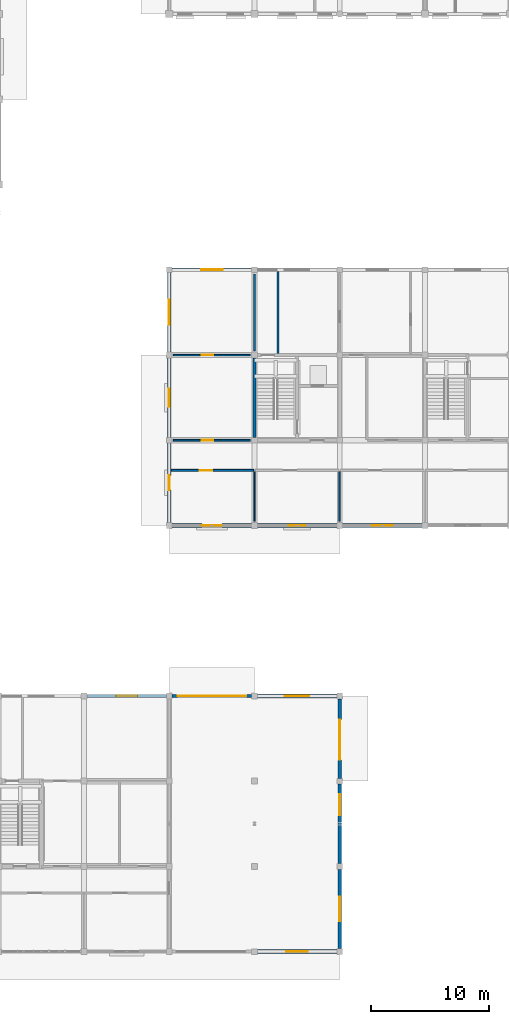
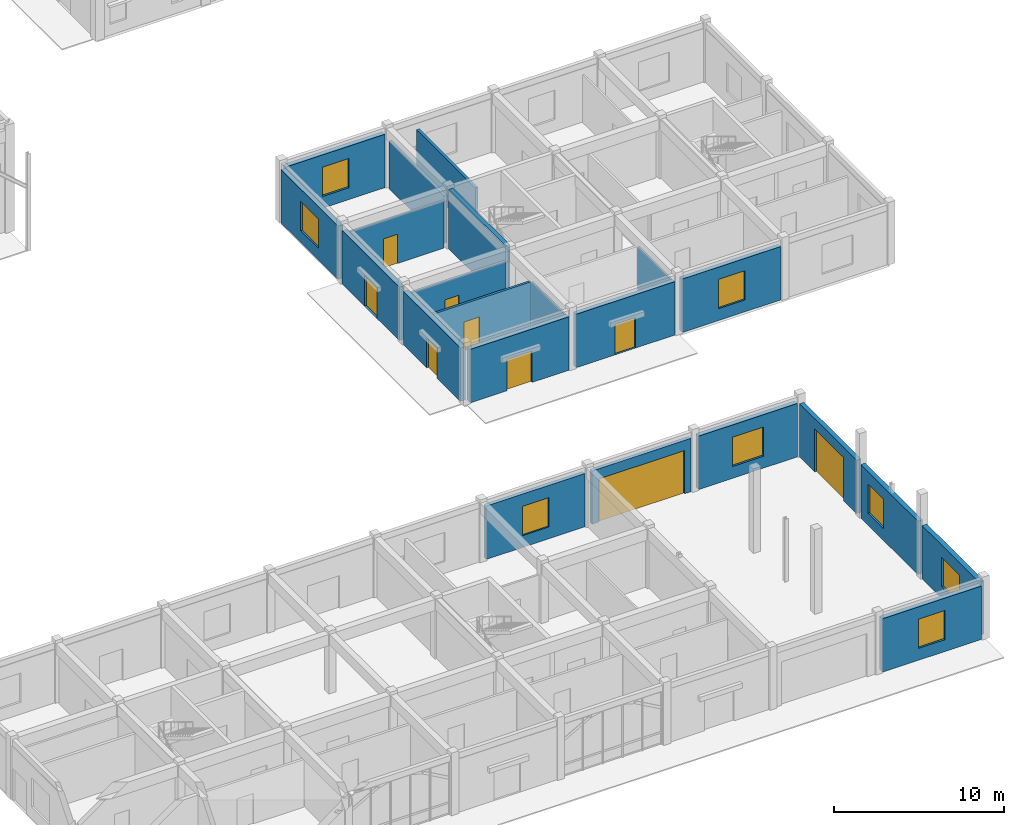
# One storey, part 102 of 138: 22 walls, 9 doors, 8 windows, 17 openings.
"""IFC4 building model written with IfcOpenShell, lengths in metres."""

from ifc_helpers import new_model, si_unit, direction, frame, frame_2d, origin, place, context, subcontext, project, spatial, rectangle, extrude, material, layer, layer_set, type_object, element, fill, save


model = new_model("IFC4")

# Units and contexts
model_context = context("Model", 3, precision=1e-05, world=origin(), true_north=direction((0.0, 1.0)))
body_context = subcontext(model_context, "Body", "Model", "MODEL_VIEW")
ifc_project = project(units=[si_unit("LENGTHUNIT", "METRE"), si_unit("AREAUNIT", "SQUARE_METRE"), si_unit("VOLUMEUNIT", "CUBIC_METRE"), si_unit("PLANEANGLEUNIT", "RADIAN"), si_unit("MASSUNIT", "GRAM", prefix="KILO"), si_unit("THERMODYNAMICTEMPERATUREUNIT", "KELVIN"), si_unit("POWERUNIT", "WATT")], contexts=[model_context])

# Site, building, storey
site_placement = place(None, origin())
site = spatial("IfcSite", under=ifc_project, at=site_placement, CompositionType="ELEMENT")
building_placement = place(site_placement, origin())
building = spatial("IfcBuilding", under=site, at=building_placement, Name="Tavuni Mirador Residences", CompositionType="ELEMENT")
storey_placement = place(building_placement, origin())
storey = spatial("IfcBuildingStorey", under=building, at=storey_placement, Name="L00", CompositionType="ELEMENT", Elevation=0.0)

# Wall
ifc_material_1 = material(Name="Precast concrete C40/50", Category="concrete")
ifc_layer_1 = layer(ifc_material_1, 0.280029296875, Name="Precast concrete C40/50", Category="concrete")
ifc_layer_set_1 = layer_set([ifc_layer_1], Name="Precast concrete C40/50")
wall_type_1 = type_object("IfcWallType", Name="WT-COR280", PredefinedType="SHEAR", material=ifc_layer_set_1)
wall_1_placement = place(storey_placement, frame((97.199951171875, 50.64990234375, 0.0), z_axis=(0.0, 0.0, 1.0), x_axis=(0.0, 1.0, 0.0)))
element("IfcWall", 1, at=wall_1_placement, inside=storey, type_object=wall_type_1, Name="CWALL-CN1-L00-W", PredefinedType="SHEAR", context=body_context, shape_type="SweptSolid", body=[
    extrude(rectangle(XDim=6.7001953125, YDim=0.280029296875, at=frame_2d((3.35009765625, 0.0))), origin(), (0.0, 0.0, 1.0), 4.260009765625),
])

# Wall, opening, door
ifc_layer_2 = layer(ifc_material_1, 0.1650390625, Name="Precast concrete C40/50", Category="concrete")
ifc_layer_set_2 = layer_set([ifc_layer_2], Name="Precast concrete C40/50")
wall_type_2 = type_object("IfcWallType", Name="WT-CORR165", PredefinedType="PARTITIONING", material=ifc_layer_set_2)
wall_2_placement = place(storey_placement, frame((90.175048828125, 47.85009765625, 0.0), z_axis=(0.0, 0.0, 1.0), x_axis=(1.0, 0.0, 0.0)))
wall_2 = element("IfcWall", 2, at=wall_2_placement, inside=storey, type_object=wall_type_2, Name="PW-NURS-L00-CS1", PredefinedType="PARTITIONING", context=body_context, shape_type="SweptSolid", body=[
    extrude(rectangle(XDim=6.945068359375, YDim=0.1650390625, at=frame_2d((3.47265625, 0.0))), origin(), (0.0, 0.0, 1.0), 3.409912109375),
])
opening_1_placement = place(wall_2_placement, frame((2.39990234375, 0.0, 0.0)))
opening_1 = element("IfcOpeningElement", 3, at=opening_1_placement, cuts=wall_2, Name="Opening D-15", PredefinedType="OPENING", context=body_context, shape_type="SweptSolid", body=[
    extrude(rectangle(XDim=1.0400390625, YDim=2.1201171875, at=frame_2d((0.52001953125, 1.06005859375))), frame((0.0, 0.092529296875, 0.0), z_axis=(0.0, -1.0, 0.0), x_axis=(1.0, 0.0, 0.0)), (0.0, 0.0, 1.0), 0.18505859375),
])
ifc_material_2 = material(Name="Solid core iroko timber", Category="wood")
door_type_1 = type_object("IfcDoorType", Name="DT-NUR1040", OperationType="NOTDEFINED", PredefinedType="DOOR", material=ifc_material_2)
door_1_placement = place(opening_1_placement, origin())
door_1 = element("IfcDoor", 4, at=door_1_placement, inside=storey, type_object=door_type_1, Name="DR-4792", OperationType="SINGLE_SWING_LEFT", OverallHeight=2.1201171875, OverallWidth=1.0400390625, PredefinedType="DOOR", context=body_context, shape_type="SweptSolid", body=[
    extrude(rectangle(XDim=1.0400390625, YDim=2.1201171875, at=frame_2d((0.52001953125, 1.06005859375))), frame((0.0, 0.02490234375, 0.0), z_axis=(0.0, -1.0, 0.0), x_axis=(1.0, 0.0, 0.0)), (0.0, 0.0, 1.0), 0.050048828125),
])
fill(opening_1, door_1)

wall_3_placement = place(storey_placement, frame((90.35009765625, 50.39990234375, 0.0), z_axis=(0.0, 0.0, 1.0), x_axis=(1.0, 0.0, 0.0)))
wall_3 = element("IfcWall", 5, at=wall_3_placement, inside=storey, type_object=wall_type_2, Name="PW-NURS-L00-CN1", PredefinedType="PARTITIONING", context=body_context, shape_type="SweptSolid", body=[
    extrude(rectangle(XDim=6.5, YDim=0.1650390625, at=frame_2d((3.25, 0.0))), origin(), (0.0, 0.0, 1.0), 3.409912109375),
])
opening_2_placement = place(wall_3_placement, frame((2.39990234375, 0.0, 0.0)))
opening_2 = element("IfcOpeningElement", 6, at=opening_2_placement, cuts=wall_3, Name="Opening D-16", PredefinedType="OPENING", context=body_context, shape_type="SweptSolid", body=[
    extrude(rectangle(XDim=0.9599609375, YDim=2.10009765625, at=frame_2d((0.47998046875, 1.050048828125))), frame((0.0, 0.092529296875, 0.0), z_axis=(0.0, -1.0, 0.0), x_axis=(1.0, 0.0, 0.0)), (0.0, 0.0, 1.0), 0.18505859375),
])
door_type_2 = type_object("IfcDoorType", Name="DT-NUR960", OperationType="NOTDEFINED", PredefinedType="DOOR", material=ifc_material_2)
door_2_placement = place(opening_2_placement, origin())
door_2 = element("IfcDoor", 7, at=door_2_placement, inside=storey, type_object=door_type_2, Name="DR-4796", OperationType="SINGLE_SWING_LEFT", OverallHeight=2.10009765625, OverallWidth=0.9599609375, PredefinedType="DOOR", context=body_context, shape_type="SweptSolid", body=[
    extrude(rectangle(XDim=0.9599609375, YDim=2.10009765625, at=frame_2d((0.47998046875, 1.050048828125))), frame((0.0, 0.02490234375, 0.0), z_axis=(0.0, -1.0, 0.0), x_axis=(1.0, 0.0, 0.0)), (0.0, 0.0, 1.0), 0.050048828125),
])
fill(opening_2, door_2)

# Walls
ifc_layer_3 = layer(ifc_material_1, 0.18505859375, Name="Precast concrete C40/50", Category="concrete")
ifc_layer_set_3 = layer_set([ifc_layer_3], Name="Precast concrete C40/50")
wall_type_3 = type_object("IfcWallType", Name="WT-CORR185", PredefinedType="PARTITIONING", material=ifc_layer_set_3)
wall_4_placement = place(storey_placement, frame((97.199951171875, 57.949951171875, 0.0), z_axis=(0.0, 0.0, 1.0), x_axis=(0.0, 1.0, 0.0)))
element("IfcWall", 8, at=wall_4_placement, inside=storey, type_object=wall_type_3, Name="PW-NURS-L00-NV1", PredefinedType="PARTITIONING", context=body_context, shape_type="SweptSolid", body=[
    extrude(rectangle(XDim=6.5, YDim=0.18505859375, at=frame_2d((3.25, 0.0))), origin(), (0.0, 0.0, 1.0), 3.409912109375),
])
wall_5_placement = place(storey_placement, frame((99.18994140625, 57.739990234375, 0.0), z_axis=(0.0, 0.0, 1.0), x_axis=(0.0, 1.0, 0.0)))
element("IfcWall", 9, at=wall_5_placement, inside=storey, type_object=wall_type_3, Name="XPW-ST11-E", PredefinedType="PARTITIONING", context=body_context, shape_type="SweptSolid", body=[
    extrude(rectangle(XDim=6.89990234375, YDim=0.18505859375, at=frame_2d((3.449951171875, 0.0))), origin(), (0.0, 0.0, 1.0), 3.409912109375),
])

# Wall, opening, door
ifc_layer_4 = layer(ifc_material_1, 0.330078125, Name="Precast concrete C40/50", Category="concrete")
ifc_layer_set_4 = layer_set([ifc_layer_4], Name="Precast concrete C40/50")
wall_type_4 = type_object("IfcWallType", Name="WT-EXT-COR330", PredefinedType="SOLIDWALL", material=ifc_layer_set_4)
wall_6_placement = place(storey_placement, frame((90.25, 43.199951171875, 0.0), z_axis=(0.0, 0.0, 1.0), x_axis=(1.0, 0.0, 0.0)))
wall_6 = element("IfcWall", 10, at=wall_6_placement, inside=storey, type_object=wall_type_4, Name="EW-PAV-NURS-L00-S00", PredefinedType="SOLIDWALL", context=body_context, shape_type="SweptSolid", body=[
    extrude(rectangle(XDim=6.7099609375, YDim=0.330078125, at=frame_2d((3.35498046875, 0.0))), origin(), (0.0, 0.0, 1.0), 3.830078125),
])
opening_3_placement = place(wall_6_placement, frame((2.5048828125, 0.0, 0.0)))
opening_3 = element("IfcOpeningElement", 11, at=opening_3_placement, cuts=wall_6, Name="Opening EN-02", PredefinedType="OPENING", context=body_context, shape_type="SweptSolid", body=[
    extrude(rectangle(XDim=1.699951171875, YDim=2.25, at=frame_2d((0.85009765625, 1.125))), frame((0.0, 0.175048828125, 0.0), z_axis=(0.0, -1.0, 0.0), x_axis=(1.0, 0.0, 0.0)), (0.0, 0.0, 1.0), 0.35009765625),
])
ifc_material_3 = material(Name="Anodised aluminium", Category="aluminium")
door_type_3 = type_object("IfcDoorType", Name="DT-ENT1700", OperationType="DOUBLE_DOOR_SINGLE_SWING", PredefinedType="DOOR", material=ifc_material_3)
door_3_placement = place(opening_3_placement, frame((1.699951171875, 0.0, 0.0), z_axis=(0.0, 0.0, 1.0), x_axis=(-1.0, 0.0, 0.0)))
door_3 = element("IfcDoor", 12, at=door_3_placement, inside=storey, type_object=door_type_3, Name="Final exit door EX-025", OperationType="DOUBLE_DOOR_SINGLE_SWING", OverallHeight=2.25, OverallWidth=1.699951171875, PredefinedType="DOOR", context=body_context, shape_type="SweptSolid", body=[
    extrude(rectangle(XDim=1.699951171875, YDim=2.25, at=frame_2d((0.85009765625, 1.125))), frame((0.0, 0.02490234375, 0.0), z_axis=(0.0, -1.0, 0.0), x_axis=(1.0, 0.0, 0.0)), (0.0, 0.0, 1.0), 0.050048828125),
])
fill(opening_3, door_3)

# Wall, opening, window
wall_7_placement = place(storey_placement, frame((96.9599609375, 64.800048828125, 0.0), z_axis=(0.0, 0.0, 1.0), x_axis=(-1.0, 0.0, 0.0)))
wall_7 = element("IfcWall", 13, at=wall_7_placement, inside=storey, type_object=wall_type_4, Name="EW-PAV-NURS-L00-N00", PredefinedType="SOLIDWALL", context=body_context, shape_type="SweptSolid", body=[
    extrude(rectangle(XDim=6.7099609375, YDim=0.330078125, at=frame_2d((3.35498046875, 0.0))), origin(), (0.0, 0.0, 1.0), 3.830078125),
])
opening_4_placement = place(wall_7_placement, frame((2.455078125, 0.0, 0.85009765625)))
opening_4 = element("IfcOpeningElement", 14, at=opening_4_placement, cuts=wall_7, Name="Opening WN-31", PredefinedType="OPENING", context=body_context, shape_type="SweptSolid", body=[
    extrude(rectangle(XDim=1.800048828125, YDim=2.10009765625, at=frame_2d((0.89990234375, 1.050048828125))), frame((0.0, 0.175048828125, 0.0), z_axis=(0.0, -1.0, 0.0), x_axis=(1.0, 0.0, 0.0)), (0.0, 0.0, 1.0), 0.35009765625),
])
ifc_material_4 = material(Name="Laminated solar-control glass", Category="glass")
window_type_1 = type_object("IfcWindowType", Name="WNT-31", PartitioningType="SINGLE_PANEL", PredefinedType="WINDOW", material=ifc_material_4)
window_1_placement = place(opening_4_placement, origin())
window_1 = element("IfcWindow", 15, at=window_1_placement, inside=storey, type_object=window_type_1, Name="WIN-1848", OverallHeight=2.10009765625, OverallWidth=1.800048828125, PartitioningType="SINGLE_PANEL", PredefinedType="WINDOW", context=body_context, shape_type="SweptSolid", body=[
    extrude(rectangle(XDim=1.800048828125, YDim=2.10009765625, at=frame_2d((0.89990234375, 1.050048828125))), frame((0.0, 0.030029296875, 0.0), z_axis=(0.0, -1.0, 0.0), x_axis=(1.0, 0.0, 0.0)), (0.0, 0.0, 1.0), 0.06005859375),
])
fill(opening_4, window_1)

# Wall, opening, door
wall_8_placement = place(storey_placement, frame((90.0, 50.159912109375, 0.0), z_axis=(0.0, 0.0, 1.0), x_axis=(0.0, -1.0, 0.0)))
wall_8 = element("IfcWall", 16, at=wall_8_placement, inside=storey, type_object=wall_type_4, Name="EW-PAV-NURS-L00-W00", PredefinedType="SOLIDWALL", context=body_context, shape_type="SweptSolid", body=[
    extrude(rectangle(XDim=6.7099609375, YDim=0.330078125, at=frame_2d((3.35498046875, 0.0))), origin(), (0.0, 0.0, 1.0), 3.830078125),
])
opening_5_placement = place(wall_8_placement, frame((2.72998046875, 0.0, 0.0)))
opening_5 = element("IfcOpeningElement", 17, at=opening_5_placement, cuts=wall_8, Name="Opening ND-01", PredefinedType="OPENING", context=body_context, shape_type="SweptSolid", body=[
    extrude(rectangle(XDim=1.25, YDim=2.14990234375, at=frame_2d((0.625, 1.074951171875))), frame((0.0, 0.175048828125, 0.0), z_axis=(0.0, -1.0, 0.0), x_axis=(1.0, 0.0, 0.0)), (0.0, 0.0, 1.0), 0.35009765625),
])
door_type_4 = type_object("IfcDoorType", Name="DT-NUR1250", OperationType="NOTDEFINED", PredefinedType="DOOR", material=ifc_material_2)
door_4_placement = place(opening_5_placement, frame((1.25, 0.0, 0.0), z_axis=(0.0, 0.0, 1.0), x_axis=(-1.0, 0.0, 0.0)))
door_4 = element("IfcDoor", 18, at=door_4_placement, inside=storey, type_object=door_type_4, Name="Final exit door EX-028", OperationType="SINGLE_SWING_LEFT", OverallHeight=2.14990234375, OverallWidth=1.25, PredefinedType="DOOR", context=body_context, shape_type="SweptSolid", body=[
    extrude(rectangle(XDim=1.25, YDim=2.14990234375, at=frame_2d((0.625, 1.074951171875))), frame((0.0, 0.02490234375, 0.0), z_axis=(0.0, -1.0, 0.0), x_axis=(1.0, 0.0, 0.0)), (0.0, 0.0, 1.0), 0.050048828125),
])
fill(opening_5, door_4)

# Wall, opening, window
wall_9_placement = place(storey_placement, frame((97.43994140625, 7.199951171875, 0.0), z_axis=(0.0, 0.0, 1.0), x_axis=(1.0, 0.0, 0.0)))
wall_9 = element("IfcWall", 19, at=wall_9_placement, inside=storey, type_object=wall_type_4, Name="EW-PAV-SHOP-L00-S07", PredefinedType="SOLIDWALL", context=body_context, shape_type="SweptSolid", body=[
    extrude(rectangle(XDim=6.7099609375, YDim=0.330078125, at=frame_2d((3.35498046875, 0.0))), origin(), (0.0, 0.0, 1.0), 3.830078125),
])
opening_6_placement = place(wall_9_placement, frame((2.455078125, 0.0, 0.85009765625)))
opening_6 = element("IfcOpeningElement", 20, at=opening_6_placement, cuts=wall_9, Name="Opening WN-31", PredefinedType="OPENING", context=body_context, shape_type="SweptSolid", body=[
    extrude(rectangle(XDim=1.800048828125, YDim=2.10009765625, at=frame_2d((0.89990234375, 1.050048828125))), frame((0.0, 0.175048828125, 0.0), z_axis=(0.0, -1.0, 0.0), x_axis=(1.0, 0.0, 0.0)), (0.0, 0.0, 1.0), 0.35009765625),
])
window_2_placement = place(opening_6_placement, origin())
window_2 = element("IfcWindow", 21, at=window_2_placement, inside=storey, type_object=window_type_1, Name="WIN-1878", OverallHeight=2.10009765625, OverallWidth=1.800048828125, PartitioningType="SINGLE_PANEL", PredefinedType="WINDOW", context=body_context, shape_type="SweptSolid", body=[
    extrude(rectangle(XDim=1.800048828125, YDim=2.10009765625, at=frame_2d((0.89990234375, 1.050048828125))), frame((0.0, 0.030029296875, 0.0), z_axis=(0.0, -1.0, 0.0), x_axis=(1.0, 0.0, 0.0)), (0.0, 0.0, 1.0), 0.06005859375),
])
fill(opening_6, window_2)

wall_10_placement = place(storey_placement, frame((104.39990234375, 7.449951171875, 0.0), z_axis=(0.0, 0.0, 1.0), x_axis=(0.0, 1.0, 0.0)))
wall_10 = element("IfcWall", 22, at=wall_10_placement, inside=storey, type_object=wall_type_4, Name="EW-PAV-SHOP-L00-E00", PredefinedType="SOLIDWALL", context=body_context, shape_type="SweptSolid", body=[
    extrude(rectangle(XDim=6.699951171875, YDim=0.330078125, at=frame_2d((3.35009765625, 0.0))), origin(), (0.0, 0.0, 1.0), 3.830078125),
])
opening_7_placement = place(wall_10_placement, frame((2.300048828125, 0.0, 0.85009765625)))
opening_7 = element("IfcOpeningElement", 23, at=opening_7_placement, cuts=wall_10, Name="Opening WN-32", PredefinedType="OPENING", context=body_context, shape_type="SweptSolid", body=[
    extrude(rectangle(XDim=2.10009765625, YDim=2.10009765625, at=frame_2d((1.050048828125, 1.050048828125))), frame((0.0, 0.175048828125, 0.0), z_axis=(0.0, -1.0, 0.0), x_axis=(1.0, 0.0, 0.0)), (0.0, 0.0, 1.0), 0.35009765625),
])
window_type_2 = type_object("IfcWindowType", Name="WNT-32", PartitioningType="SINGLE_PANEL", PredefinedType="WINDOW", material=ifc_material_4)
window_3_placement = place(opening_7_placement, origin())
window_3 = element("IfcWindow", 24, at=window_3_placement, inside=storey, type_object=window_type_2, Name="WIN-1879", OverallHeight=2.10009765625, OverallWidth=2.10009765625, PartitioningType="SINGLE_PANEL", PredefinedType="WINDOW", context=body_context, shape_type="SweptSolid", body=[
    extrude(rectangle(XDim=2.10009765625, YDim=2.10009765625, at=frame_2d((1.050048828125, 1.050048828125))), frame((0.0, 0.030029296875, 0.0), z_axis=(0.0, -1.0, 0.0), x_axis=(1.0, 0.0, 0.0)), (0.0, 0.0, 1.0), 0.06005859375),
])
fill(opening_7, window_3)

wall_11_placement = place(storey_placement, frame((104.14990234375, 28.800048828125, 0.0), z_axis=(0.0, 0.0, 1.0), x_axis=(-1.0, 0.0, 0.0)))
wall_11 = element("IfcWall", 25, at=wall_11_placement, inside=storey, type_object=wall_type_4, Name="EW-PAV-SHOP-L00-N07", PredefinedType="SOLIDWALL", context=body_context, shape_type="SweptSolid", body=[
    extrude(rectangle(XDim=6.7099609375, YDim=0.330078125, at=frame_2d((3.35498046875, 0.0))), origin(), (0.0, 0.0, 1.0), 3.830078125),
])
opening_8_placement = place(wall_11_placement, frame((2.304931640625, 0.0, 0.85009765625)))
opening_8 = element("IfcOpeningElement", 26, at=opening_8_placement, cuts=wall_11, Name="Opening WN-32", PredefinedType="OPENING", context=body_context, shape_type="SweptSolid", body=[
    extrude(rectangle(XDim=2.10009765625, YDim=2.10009765625, at=frame_2d((1.050048828125, 1.050048828125))), frame((0.0, 0.175048828125, 0.0), z_axis=(0.0, -1.0, 0.0), x_axis=(1.0, 0.0, 0.0)), (0.0, 0.0, 1.0), 0.35009765625),
])
window_4_placement = place(opening_8_placement, origin())
window_4 = element("IfcWindow", 27, at=window_4_placement, inside=storey, type_object=window_type_2, Name="WIN-1881", OverallHeight=2.10009765625, OverallWidth=2.10009765625, PartitioningType="SINGLE_PANEL", PredefinedType="WINDOW", context=body_context, shape_type="SweptSolid", body=[
    extrude(rectangle(XDim=2.10009765625, YDim=2.10009765625, at=frame_2d((1.050048828125, 1.050048828125))), frame((0.0, 0.030029296875, 0.0), z_axis=(0.0, -1.0, 0.0), x_axis=(1.0, 0.0, 0.0)), (0.0, 0.0, 1.0), 0.06005859375),
])
fill(opening_8, window_4)

# Wall, opening, door
ifc_material_5 = material(Name="Sgraffito lime-rendered precast concrete C40/50", Category="concrete")
ifc_layer_5 = layer(ifc_material_5, 0.2451171875, Name="Sgraffito lime-rendered precast concrete C40/50", Category="concrete")
ifc_layer_set_5 = layer_set([ifc_layer_5], Name="Sgraffito lime-rendered precast concrete C40/50")
wall_type_5 = type_object("IfcWallType", Name="WT-EXT-PC245", PredefinedType="SOLIDWALL", material=ifc_layer_set_5)
wall_12_placement = place(storey_placement, frame((96.9599609375, 28.800048828125, 0.0), z_axis=(0.0, 0.0, 1.0), x_axis=(-1.0, 0.0, 0.0)))
wall_12 = element("IfcWall", 28, at=wall_12_placement, inside=storey, type_object=wall_type_5, Name="EW-PAV-SHOP-L00-N06", PredefinedType="SOLIDWALL", context=body_context, shape_type="SweptSolid", body=[
    extrude(rectangle(XDim=6.7099609375, YDim=0.2451171875, at=frame_2d((3.35498046875, 0.0))), origin(), (0.0, 0.0, 1.0), 3.830078125),
])
opening_9_placement = place(wall_12_placement, frame((0.449951171875, 0.0, 0.0)))
opening_9 = element("IfcOpeningElement", 29, at=opening_9_placement, cuts=wall_12, Name="Opening VG-02", PredefinedType="OPENING", context=body_context, shape_type="SweptSolid", body=[
    extrude(rectangle(XDim=5.800048828125, YDim=3.10009765625, at=frame_2d((2.89990234375, 1.550048828125))), frame((0.0, 0.132568359375, 0.0), z_axis=(0.0, -1.0, 0.0), x_axis=(1.0, 0.0, 0.0)), (0.0, 0.0, 1.0), 0.26513671875),
])
ifc_material_6 = material(Name="Structural steel S355", Category="steel")
door_type_5 = type_object("IfcDoorType", Name="DT-VG5800N", OperationType="SLIDING_TO_LEFT", PredefinedType="GATE", material=ifc_material_6)
door_5_placement = place(opening_9_placement, frame((5.800048828125, 0.0, 0.0), z_axis=(0.0, 0.0, 1.0), x_axis=(-1.0, 0.0, 0.0)))
door_5 = element("IfcDoor", 30, at=door_5_placement, inside=storey, type_object=door_type_5, Name="Car park north vehicle gate VG-02", OperationType="SLIDING_TO_LEFT", OverallHeight=3.10009765625, OverallWidth=5.800048828125, PredefinedType="GATE", context=body_context, shape_type="SweptSolid", body=[
    extrude(rectangle(XDim=5.800048828125, YDim=3.10009765625, at=frame_2d((2.89990234375, 1.550048828125))), frame((0.0, 0.02490234375, 0.0), z_axis=(0.0, -1.0, 0.0), x_axis=(1.0, 0.0, 0.0)), (0.0, 0.0, 1.0), 0.050048828125),
])
fill(opening_9, door_5)

# Wall, opening, window
ifc_layer_6 = layer(ifc_material_5, 0.2548828125, Name="Sgraffito lime-rendered precast concrete C40/50", Category="concrete")
ifc_layer_set_6 = layer_set([ifc_layer_6], Name="Sgraffito lime-rendered precast concrete C40/50")
wall_type_6 = type_object("IfcWallType", Name="WT-EXT-PC255", PredefinedType="SOLIDWALL", material=ifc_layer_set_6)
wall_13_placement = place(storey_placement, frame((89.75, 28.800048828125, 0.0), z_axis=(0.0, 0.0, 1.0), x_axis=(-1.0, 0.0, 0.0)))
wall_13 = element("IfcWall", 31, at=wall_13_placement, inside=storey, type_object=wall_type_6, Name="EW-PAV-SHOP-L00-N05", PredefinedType="SOLIDWALL", context=body_context, shape_type="SweptSolid", body=[
    extrude(rectangle(XDim=6.699951171875, YDim=0.2548828125, at=frame_2d((3.35009765625, 0.0))), origin(), (0.0, 0.0, 1.0), 3.830078125),
])
opening_10_placement = place(wall_13_placement, frame((2.449951171875, 0.0, 0.85009765625)))
opening_10 = element("IfcOpeningElement", 32, at=opening_10_placement, cuts=wall_13, Name="Opening WN-31", PredefinedType="OPENING", context=body_context, shape_type="SweptSolid", body=[
    extrude(rectangle(XDim=1.800048828125, YDim=2.10009765625, at=frame_2d((0.89990234375, 1.050048828125))), frame((0.0, 0.137451171875, 0.0), z_axis=(0.0, -1.0, 0.0), x_axis=(1.0, 0.0, 0.0)), (0.0, 0.0, 1.0), 0.27490234375),
])
window_5_placement = place(opening_10_placement, origin())
window_5 = element("IfcWindow", 33, at=window_5_placement, inside=storey, type_object=window_type_1, Name="WIN-1882", OverallHeight=2.10009765625, OverallWidth=1.800048828125, PartitioningType="SINGLE_PANEL", PredefinedType="WINDOW", context=body_context, shape_type="SweptSolid", body=[
    extrude(rectangle(XDim=1.800048828125, YDim=2.10009765625, at=frame_2d((0.89990234375, 1.050048828125))), frame((0.0, 0.030029296875, 0.0), z_axis=(0.0, -1.0, 0.0), x_axis=(1.0, 0.0, 0.0)), (0.0, 0.0, 1.0), 0.06005859375),
])
fill(opening_10, window_5)

ifc_layer_7 = layer(ifc_material_5, 0.304931640625, Name="Sgraffito lime-rendered precast concrete C40/50", Category="concrete")
ifc_layer_set_7 = layer_set([ifc_layer_7], Name="Sgraffito lime-rendered precast concrete C40/50")
wall_type_7 = type_object("IfcWallType", Name="WT-EXT-PC305", PredefinedType="SOLIDWALL", material=ifc_layer_set_7)
wall_14_placement = place(storey_placement, frame((104.64990234375, 43.199951171875, 0.0), z_axis=(0.0, 0.0, 1.0), x_axis=(1.0, 0.0, 0.0)))
wall_14 = element("IfcWall", 34, at=wall_14_placement, inside=storey, type_object=wall_type_7, Name="EW-PAV-NURS-L00-S02", PredefinedType="SOLIDWALL", context=body_context, shape_type="SweptSolid", body=[
    extrude(rectangle(XDim=6.7001953125, YDim=0.304931640625, at=frame_2d((3.35009765625, 0.0))), origin(), (0.0, 0.0, 1.0), 3.830078125),
])
opening_11_placement = place(wall_14_placement, frame((2.449951171875, 0.0, 0.85009765625)))
opening_11 = element("IfcOpeningElement", 35, at=opening_11_placement, cuts=wall_14, Name="Opening WN-31", PredefinedType="OPENING", context=body_context, shape_type="SweptSolid", body=[
    extrude(rectangle(XDim=1.800048828125, YDim=2.10009765625, at=frame_2d((0.89990234375, 1.050048828125))), frame((0.0, 0.16259765625, 0.0), z_axis=(0.0, -1.0, 0.0), x_axis=(1.0, 0.0, 0.0)), (0.0, 0.0, 1.0), 0.324951171875),
])
window_6_placement = place(opening_11_placement, origin())
window_6 = element("IfcWindow", 36, at=window_6_placement, inside=storey, type_object=window_type_1, Name="WIN-1840", OverallHeight=2.10009765625, OverallWidth=1.800048828125, PartitioningType="SINGLE_PANEL", PredefinedType="WINDOW", context=body_context, shape_type="SweptSolid", body=[
    extrude(rectangle(XDim=1.800048828125, YDim=2.10009765625, at=frame_2d((0.89990234375, 1.050048828125))), frame((0.0, 0.030029296875, 0.0), z_axis=(0.0, -1.0, 0.0), x_axis=(1.0, 0.0, 0.0)), (0.0, 0.0, 1.0), 0.06005859375),
])
fill(opening_11, window_6)

wall_15_placement = place(storey_placement, frame((90.0, 64.550048828125, 0.0), z_axis=(0.0, 0.0, 1.0), x_axis=(0.0, -1.0, 0.0)))
wall_15 = element("IfcWall", 37, at=wall_15_placement, inside=storey, type_object=wall_type_7, Name="EW-PAV-NURS-L00-W02", PredefinedType="SOLIDWALL", context=body_context, shape_type="SweptSolid", body=[
    extrude(rectangle(XDim=6.699951171875, YDim=0.304931640625, at=frame_2d((3.35009765625, 0.0))), origin(), (0.0, 0.0, 1.0), 3.830078125),
])
opening_12_placement = place(wall_15_placement, frame((2.300048828125, 0.0, 0.85009765625)))
opening_12 = element("IfcOpeningElement", 38, at=opening_12_placement, cuts=wall_15, Name="Opening WN-32", PredefinedType="OPENING", context=body_context, shape_type="SweptSolid", body=[
    extrude(rectangle(XDim=2.10009765625, YDim=2.10009765625, at=frame_2d((1.050048828125, 1.050048828125))), frame((0.0, 0.16259765625, 0.0), z_axis=(0.0, -1.0, 0.0), x_axis=(1.0, 0.0, 0.0)), (0.0, 0.0, 1.0), 0.324951171875),
])
window_7_placement = place(opening_12_placement, origin())
window_7 = element("IfcWindow", 39, at=window_7_placement, inside=storey, type_object=window_type_2, Name="WIN-1849", OverallHeight=2.10009765625, OverallWidth=2.10009765625, PartitioningType="SINGLE_PANEL", PredefinedType="WINDOW", context=body_context, shape_type="SweptSolid", body=[
    extrude(rectangle(XDim=2.10009765625, YDim=2.10009765625, at=frame_2d((1.050048828125, 1.050048828125))), frame((0.0, 0.030029296875, 0.0), z_axis=(0.0, -1.0, 0.0), x_axis=(1.0, 0.0, 0.0)), (0.0, 0.0, 1.0), 0.06005859375),
])
fill(opening_12, window_7)

# Wall, opening, door
wall_16_placement = place(storey_placement, frame((104.39990234375, 21.840087890625, 0.0), z_axis=(0.0, 0.0, 1.0), x_axis=(0.0, 1.0, 0.0)))
wall_16 = element("IfcWall", 40, at=wall_16_placement, inside=storey, type_object=wall_type_7, Name="EW-PAV-SHOP-L00-E02", PredefinedType="SOLIDWALL", context=body_context, shape_type="SweptSolid", body=[
    extrude(rectangle(XDim=6.7099609375, YDim=0.304931640625, at=frame_2d((3.35498046875, 0.0))), origin(), (0.0, 0.0, 1.0), 3.830078125),
])
opening_13_placement = place(wall_16_placement, frame((1.550048828125, 0.0, 0.0)))
opening_13 = element("IfcOpeningElement", 41, at=opening_13_placement, cuts=wall_16, Name="Opening DK-01", PredefinedType="OPENING", context=body_context, shape_type="SweptSolid", body=[
    extrude(rectangle(XDim=3.39990234375, YDim=3.10009765625, at=frame_2d((1.699951171875, 1.550048828125))), frame((0.0, 0.16259765625, 0.0), z_axis=(0.0, -1.0, 0.0), x_axis=(1.0, 0.0, 0.0)), (0.0, 0.0, 1.0), 0.324951171875),
])
door_type_6 = type_object("IfcDoorType", Name="DT-DK3400", OperationType="ROLLINGUP", PredefinedType="DOOR", material=ifc_material_6)
door_6_placement = place(opening_13_placement, frame((3.39990234375, 0.0, 0.0), z_axis=(0.0, 0.0, 1.0), x_axis=(-1.0, 0.0, 0.0)))
door_6 = element("IfcDoor", 42, at=door_6_placement, inside=storey, type_object=door_type_6, Name="Loading dock roller shutter DK-01", OperationType="ROLLINGUP", OverallHeight=3.10009765625, OverallWidth=3.39990234375, PredefinedType="DOOR", context=body_context, shape_type="SweptSolid", body=[
    extrude(rectangle(XDim=3.39990234375, YDim=3.10009765625, at=frame_2d((1.699951171875, 1.550048828125))), frame((0.0, 0.02490234375, 0.0), z_axis=(0.0, -1.0, 0.0), x_axis=(1.0, 0.0, 0.0)), (0.0, 0.0, 1.0), 0.050048828125),
])
fill(opening_13, door_6)

ifc_layer_8 = layer(ifc_material_5, 0.31494140625, Name="Sgraffito lime-rendered precast concrete C40/50", Category="concrete")
ifc_layer_set_8 = layer_set([ifc_layer_8], Name="Sgraffito lime-rendered precast concrete C40/50")
wall_type_8 = type_object("IfcWallType", Name="WT-EXT-PC315", PredefinedType="SOLIDWALL", material=ifc_layer_set_8)
wall_17_placement = place(storey_placement, frame((97.43994140625, 43.199951171875, 0.0), z_axis=(0.0, 0.0, 1.0), x_axis=(1.0, 0.0, 0.0)))
wall_17 = element("IfcWall", 43, at=wall_17_placement, inside=storey, type_object=wall_type_8, Name="EW-PAV-NURS-L00-S01", PredefinedType="SOLIDWALL", context=body_context, shape_type="SweptSolid", body=[
    extrude(rectangle(XDim=6.7099609375, YDim=0.31494140625, at=frame_2d((3.35498046875, 0.0))), origin(), (0.0, 0.0, 1.0), 3.830078125),
])
opening_14_placement = place(wall_17_placement, frame((2.655029296875, 0.0, 0.0)))
opening_14 = element("IfcOpeningElement", 44, at=opening_14_placement, cuts=wall_17, Name="Opening SD-01", PredefinedType="OPENING", context=body_context, shape_type="SweptSolid", body=[
    extrude(rectangle(XDim=1.39990234375, YDim=2.199951171875, at=frame_2d((0.699951171875, 1.10009765625))), frame((0.0, 0.16748046875, 0.0), z_axis=(0.0, -1.0, 0.0), x_axis=(1.0, 0.0, 0.0)), (0.0, 0.0, 1.0), 0.3349609375),
])
door_type_7 = type_object("IfcDoorType", Name="DT-SHP1400", OperationType="NOTDEFINED", PredefinedType="DOOR", material=ifc_material_3)
door_7_placement = place(opening_14_placement, frame((1.39990234375, 0.0, 0.0), z_axis=(0.0, 0.0, 1.0), x_axis=(-1.0, 0.0, 0.0)))
door_7 = element("IfcDoor", 45, at=door_7_placement, inside=storey, type_object=door_type_7, Name="Final exit door EX-026", OperationType="SINGLE_SWING_LEFT", OverallHeight=2.199951171875, OverallWidth=1.39990234375, PredefinedType="DOOR", context=body_context, shape_type="SweptSolid", body=[
    extrude(rectangle(XDim=1.39990234375, YDim=2.199951171875, at=frame_2d((0.699951171875, 1.10009765625))), frame((0.0, 0.02490234375, 0.0), z_axis=(0.0, -1.0, 0.0), x_axis=(1.0, 0.0, 0.0)), (0.0, 0.0, 1.0), 0.050048828125),
])
fill(opening_14, door_7)

wall_18_placement = place(storey_placement, frame((90.0, 57.35009765625, 0.0), z_axis=(0.0, 0.0, 1.0), x_axis=(0.0, -1.0, 0.0)))
wall_18 = element("IfcWall", 46, at=wall_18_placement, inside=storey, type_object=wall_type_8, Name="EW-PAV-NURS-L00-W01", PredefinedType="SOLIDWALL", context=body_context, shape_type="SweptSolid", body=[
    extrude(rectangle(XDim=6.710205078125, YDim=0.31494140625, at=frame_2d((3.35498046875, 0.0))), origin(), (0.0, 0.0, 1.0), 3.830078125),
])
opening_15_placement = place(wall_18_placement, frame((2.60498046875, 0.0, 0.0)))
opening_15 = element("IfcOpeningElement", 47, at=opening_15_placement, cuts=wall_18, Name="Opening SD-02", PredefinedType="OPENING", context=body_context, shape_type="SweptSolid", body=[
    extrude(rectangle(XDim=1.5, YDim=2.199951171875, at=frame_2d((0.75, 1.10009765625))), frame((0.0, 0.16748046875, 0.0), z_axis=(0.0, -1.0, 0.0), x_axis=(1.0, 0.0, 0.0)), (0.0, 0.0, 1.0), 0.3349609375),
])
door_type_8 = type_object("IfcDoorType", Name="DT-SHP1500", OperationType="NOTDEFINED", PredefinedType="DOOR", material=ifc_material_3)
door_8_placement = place(opening_15_placement, frame((1.5, 0.0, 0.0), z_axis=(0.0, 0.0, 1.0), x_axis=(-1.0, 0.0, 0.0)))
door_8 = element("IfcDoor", 48, at=door_8_placement, inside=storey, type_object=door_type_8, Name="Final exit door EX-027", OperationType="SINGLE_SWING_RIGHT", OverallHeight=2.199951171875, OverallWidth=1.5, PredefinedType="DOOR", context=body_context, shape_type="SweptSolid", body=[
    extrude(rectangle(XDim=1.5, YDim=2.199951171875, at=frame_2d((0.75, 1.10009765625))), frame((0.0, 0.02490234375, 0.0), z_axis=(0.0, -1.0, 0.0), x_axis=(1.0, 0.0, 0.0)), (0.0, 0.0, 1.0), 0.050048828125),
])
fill(opening_15, door_8)

# Wall, opening, window
wall_19_placement = place(storey_placement, frame((104.39990234375, 14.64990234375, 0.0), z_axis=(0.0, 0.0, 1.0), x_axis=(0.0, 1.0, 0.0)))
wall_19 = element("IfcWall", 49, at=wall_19_placement, inside=storey, type_object=wall_type_8, Name="EW-PAV-SHOP-L00-E01", PredefinedType="SOLIDWALL", context=body_context, shape_type="SweptSolid", body=[
    extrude(rectangle(XDim=6.710205078125, YDim=0.31494140625, at=frame_2d((3.35498046875, 0.0))), origin(), (0.0, 0.0, 1.0), 3.830078125),
])
opening_16_placement = place(wall_19_placement, frame((4.06005859375, 0.0, 0.85009765625)))
opening_16 = element("IfcOpeningElement", 50, at=opening_16_placement, cuts=wall_19, Name="Opening WN-31", PredefinedType="OPENING", context=body_context, shape_type="SweptSolid", body=[
    extrude(rectangle(XDim=1.800048828125, YDim=2.10009765625, at=frame_2d((0.89990234375, 1.050048828125))), frame((0.0, 0.16748046875, 0.0), z_axis=(0.0, -1.0, 0.0), x_axis=(1.0, 0.0, 0.0)), (0.0, 0.0, 1.0), 0.3349609375),
])
window_8_placement = place(opening_16_placement, origin())
window_8 = element("IfcWindow", 51, at=window_8_placement, inside=storey, type_object=window_type_1, Name="WIN-1880", OverallHeight=2.10009765625, OverallWidth=1.800048828125, PartitioningType="SINGLE_PANEL", PredefinedType="WINDOW", context=body_context, shape_type="SweptSolid", body=[
    extrude(rectangle(XDim=1.800048828125, YDim=2.10009765625, at=frame_2d((0.89990234375, 1.050048828125))), frame((0.0, 0.030029296875, 0.0), z_axis=(0.0, -1.0, 0.0), x_axis=(1.0, 0.0, 0.0)), (0.0, 0.0, 1.0), 0.06005859375),
])
fill(opening_16, window_8)

# Walls
ifc_material_7 = material(Name="Acoustic gypsum and concrete block partition", Category="concrete")
ifc_layer_9 = layer(ifc_material_7, 0.125, Name="Acoustic gypsum and concrete block partition", Category="concrete")
ifc_layer_set_9 = layer_set([ifc_layer_9], Name="Acoustic gypsum and concrete block partition")
wall_type_9 = type_object("IfcWallType", Name="WT-PART125", PredefinedType="PARTITIONING", material=ifc_layer_set_9)
for number, where, z_axis, x_axis, name in (
    (52, (97.199951171875, 43.550048828125, 0.0), (0.0, 0.0, 1.0), (0.0, 1.0, 0.0), "PW-NURS-L00-V1"),
    (53, (104.39990234375, 43.550048828125, 0.0), (0.0, 0.0, 1.0), (0.0, 1.0, 0.0), "PW-NURS-L00-V2"),
):
    element("IfcWall", number, at=place(storey_placement, frame(where, z_axis=z_axis, x_axis=x_axis)), inside=storey, type_object=wall_type_9, Name=name, PredefinedType="PARTITIONING", context=body_context, shape_type="SweptSolid", body=[
        extrude(rectangle(XDim=4.199951171875, YDim=0.125, at=frame_2d((2.10009765625, 0.0))), origin(), (0.0, 0.0, 1.0), 3.409912109375),
    ])

# Wall, opening, door
wall_20_placement = place(storey_placement, frame((90.35009765625, 57.60009765625, 0.0), z_axis=(0.0, 0.0, 1.0), x_axis=(1.0, 0.0, 0.0)))
wall_20 = element("IfcWall", 54, at=wall_20_placement, inside=storey, type_object=wall_type_9, Name="PW-NURS-L00-N1", PredefinedType="PARTITIONING", context=body_context, shape_type="SweptSolid", body=[
    extrude(rectangle(XDim=6.5, YDim=0.125, at=frame_2d((3.25, 0.0))), origin(), (0.0, 0.0, 1.0), 3.409912109375),
])
opening_17_placement = place(wall_20_placement, frame((2.39990234375, 0.0, 0.0)))
opening_17 = element("IfcOpeningElement", 55, at=opening_17_placement, cuts=wall_20, Name="Opening D-16", PredefinedType="OPENING", context=body_context, shape_type="SweptSolid", body=[
    extrude(rectangle(XDim=0.9599609375, YDim=2.10009765625, at=frame_2d((0.47998046875, 1.050048828125))), frame((0.0, 0.072509765625, 0.0), z_axis=(0.0, -1.0, 0.0), x_axis=(1.0, 0.0, 0.0)), (0.0, 0.0, 1.0), 0.14501953125),
])
door_9_placement = place(opening_17_placement, origin())
door_9 = element("IfcDoor", 56, at=door_9_placement, inside=storey, type_object=door_type_2, Name="DR-4799", OperationType="SINGLE_SWING_RIGHT", OverallHeight=2.10009765625, OverallWidth=0.9599609375, PredefinedType="DOOR", context=body_context, shape_type="SweptSolid", body=[
    extrude(rectangle(XDim=0.9599609375, YDim=2.10009765625, at=frame_2d((0.47998046875, 1.050048828125))), frame((0.0, 0.02490234375, 0.0), z_axis=(0.0, -1.0, 0.0), x_axis=(1.0, 0.0, 0.0)), (0.0, 0.0, 1.0), 0.050048828125),
])
fill(opening_17, door_9)

save(model, "model.ifc")
